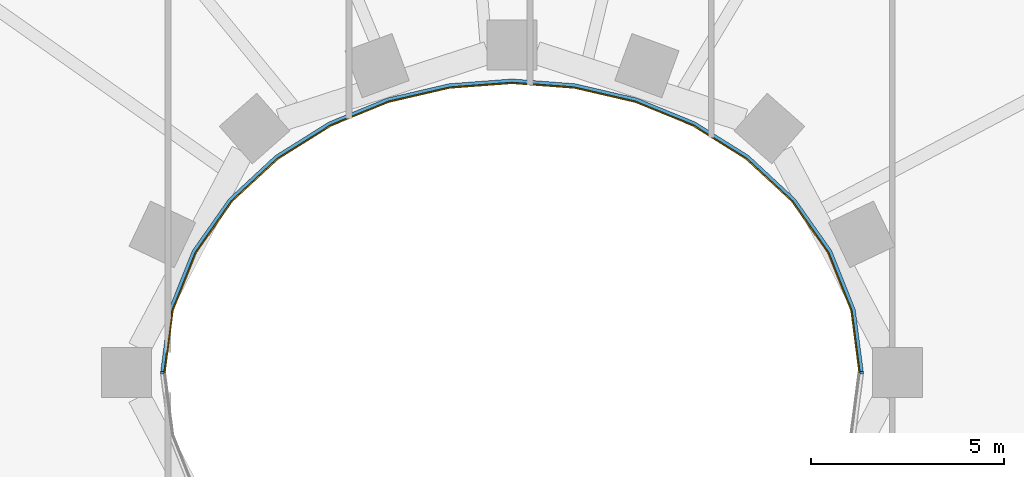
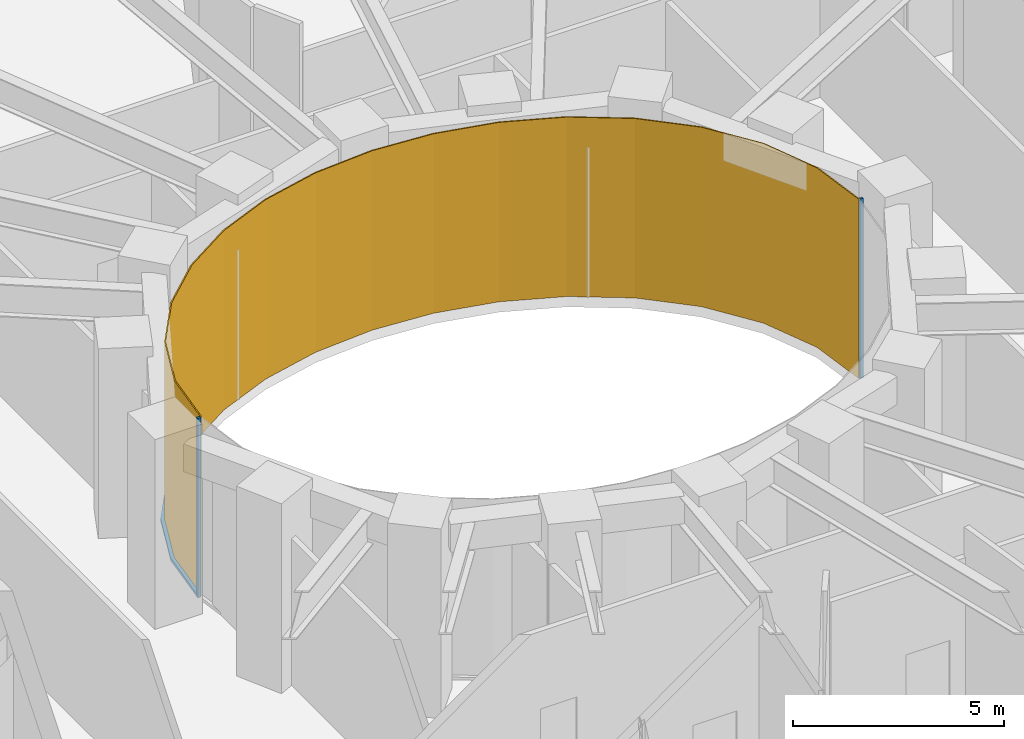
# One storey, part 17 of 25: 3 members, 1 curtain wall.
"""IFC4 building model written with IfcOpenShell, lengths in metres."""

from ifc_helpers import new_model, si_unit, direction, frame, origin, origin_2d, place, context, subcontext, project, spatial, polyline, rectangle, outline, extrude, material, layer, layer_set, material_profile, profile_set, type_object, element, aggregate, save


model = new_model("IFC4")

# Units and contexts
model_context = context("Model", 3, precision=1e-05, world=origin(), true_north=direction((0.0, 1.0)))
body_context = subcontext(model_context, "Body", "Model", "MODEL_VIEW")
ifc_project = project(units=[si_unit("LENGTHUNIT", "METRE"), si_unit("AREAUNIT", "SQUARE_METRE"), si_unit("VOLUMEUNIT", "CUBIC_METRE"), si_unit("PLANEANGLEUNIT", "RADIAN"), si_unit("MASSUNIT", "GRAM", prefix="KILO")], contexts=[model_context])

# Member
ifc_material_1 = material(Name="Steel S355 fire-resisting frame", Category="steel")
ifc_material_profile = material_profile(ifc_material_1, rectangle(XDim=0.090087890625, YDim=0.06005859375, at=origin_2d()), Name="90x60")
ifc_profile_set = profile_set([ifc_material_profile], Name="Steel S355 fire-resisting frame")
member_type_1 = type_object("IfcMemberType", Name="ENV-MULLION-W-90", PredefinedType="MULLION", material=ifc_profile_set)
site_placement = place(None, origin())
building_placement = place(site_placement, origin())
storey_placement = place(building_placement, frame((0.0, 0.0, 82.5)))
member_1_placement = place(storey_placement, frame((9.076904296875, 0.0, 0.0), z_axis=(0.0, 0.0, 1.0), x_axis=(1.0, 0.0, 0.0)))
member_1 = element("IfcMember", 1, at=member_1_placement, type_object=member_type_1, Name="Mullion W well vertex 01", PredefinedType="MULLION", context=body_context, shape_type="SweptSolid", body=[
    extrude(rectangle(XDim=0.090087890625, YDim=0.06005859375, at=origin_2d()), origin(), (0.0, 0.0, 1.0), 5.199951171875),
])

member_2_placement = place(storey_placement, frame((-9.076904296875, 0.0, 0.0), z_axis=(0.0, 0.0, 1.0), x_axis=(-1.0, 0.0, 0.0)))
member_2 = element("IfcMember", 2, at=member_2_placement, type_object=member_type_1, Name="Mullion W well vertex 17", PredefinedType="MULLION", context=body_context, shape_type="SweptSolid", body=[
    extrude(rectangle(XDim=0.090087890625, YDim=0.06005859375, at=origin_2d()), origin(), (0.0, 0.0, 1.0), 5.199951171875),
])

ifc_material_2 = material(Name="Steel S355 fire-resisting frame", Category="steel")
member_type_2 = type_object("IfcMemberType", Name="ENV-TRANSOM-W", PredefinedType="USERDEFINED", material=ifc_material_2)
member_3_placement = place(storey_placement, origin())
member_3 = element("IfcMember", 3, at=member_3_placement, type_object=member_type_2, Name="Transom W well 01-17", ObjectType="TRANSOM", PredefinedType="USERDEFINED", context=body_context, shape_type="SweptSolid", body=[
    extrude(outline(polyline([(9.119384765625, 0.02783203125), (8.910400390625, 1.63623046875), (8.29833984375, 3.167236328125), (7.35107421875, 4.5146484375), (6.1455078125, 5.6337890625), (4.75341796875, 6.50634765625), (3.233642578125, 7.127685546875), (1.635498046875, 7.498779296875), (0.0, 7.622314453125), (-1.635498046875, 7.498779296875), (-3.233642578125, 7.127685546875), (-4.75341796875, 6.50634765625), (-6.1455078125, 5.6337890625), (-7.35107421875, 4.5146484375), (-8.29833984375, 3.167236328125), (-8.910400390625, 1.63623046875), (-9.119384765625, 0.02783203125), (-9.02880859375, 0.02783203125), (-8.822509765625, 1.61328125), (-8.21875, 3.124267578125), (-7.282958984375, 4.455078125), (-6.090576171875, 5.56201171875), (-4.712158203125, 6.426025390625), (-3.206298828125, 7.04150390625), (-1.621826171875, 7.40966796875), (0.0, 7.531982421875), (1.621826171875, 7.40966796875), (3.206298828125, 7.04150390625), (4.712158203125, 6.426025390625), (6.090576171875, 5.56201171875), (7.282958984375, 4.455078125), (8.21875, 3.124267578125), (8.822509765625, 1.61328125), (9.02880859375, 0.02783203125), (9.119384765625, 0.02783203125)])), origin(), (0.0, 0.0, 1.0), 0.080078125),
])

# Site, building, storey
site = spatial("IfcSite", under=ifc_project, at=site_placement, CompositionType="ELEMENT")
building = spatial("IfcBuilding", under=site, at=building_placement, Name="Noorbagh Ring Tower", CompositionType="ELEMENT")
storey = spatial("IfcBuildingStorey", under=building, at=storey_placement, Name="L18", CompositionType="ELEMENT", Elevation=82.5)

# Curtain wall
ifc_material_3 = material(Name="Glass fire-resisting E60 laminated", Category="glass")
ifc_layer = layer(ifc_material_3, 0.031982421875)
ifc_layer_set = layer_set([ifc_layer], Name="Glass fire-resisting E60 laminated")
curtain_wall_type = type_object("IfcCurtainWallType", Name="ENV-CW-W", PredefinedType="NOTDEFINED", material=ifc_layer_set)
curtain_wall_placement = place(storey_placement, origin())
curtain_wall = element("IfcCurtainWall", 4, at=curtain_wall_placement, inside=storey, type_object=curtain_wall_type, Name="Curtain wall W W01", PredefinedType="NOTDEFINED", context=body_context, shape_type="SweptSolid", body=[
    extrude(outline(polyline([(9.0322265625, 0.0), (8.822509765625, 1.61328125), (8.21875, 3.124267578125), (7.282958984375, 4.455078125), (6.090576171875, 5.56201171875), (4.712158203125, 6.426025390625), (3.206298828125, 7.04150390625), (1.621826171875, 7.40966796875), (0.0, 7.531982421875), (-1.621826171875, 7.40966796875), (-3.206298828125, 7.04150390625), (-4.712158203125, 6.426025390625), (-6.090576171875, 5.56201171875), (-7.282958984375, 4.455078125), (-8.21875, 3.124267578125), (-8.822509765625, 1.61328125), (-9.0322265625, 0.0), (-9.0, 0.0), (-8.79150390625, 1.605224609375), (-8.1904296875, 3.10888671875), (-7.2587890625, 4.43408203125), (-6.071044921875, 5.53662109375), (-4.697509765625, 6.3974609375), (-3.196533203125, 7.010986328125), (-1.6171875, 7.3779296875), (0.0, 7.5), (1.6171875, 7.3779296875), (3.196533203125, 7.010986328125), (4.697509765625, 6.3974609375), (6.071044921875, 5.53662109375), (7.2587890625, 4.43408203125), (8.1904296875, 3.10888671875), (8.79150390625, 1.605224609375), (9.0, 0.0), (9.0322265625, 0.0)])), origin(), (0.0, 0.0, 1.0), 5.199951171875),
])

aggregate(curtain_wall, [member_1, member_2, member_3])

save(model, "model.ifc")
